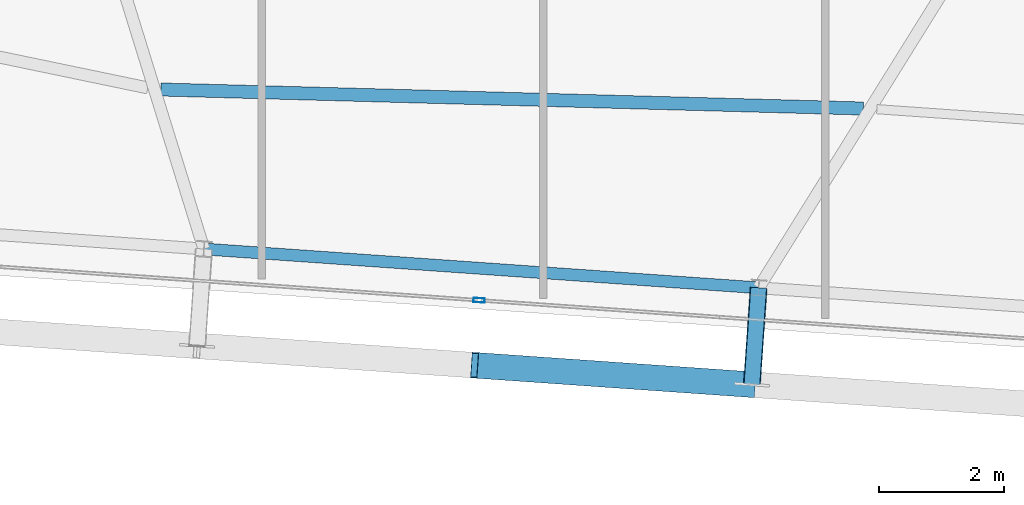
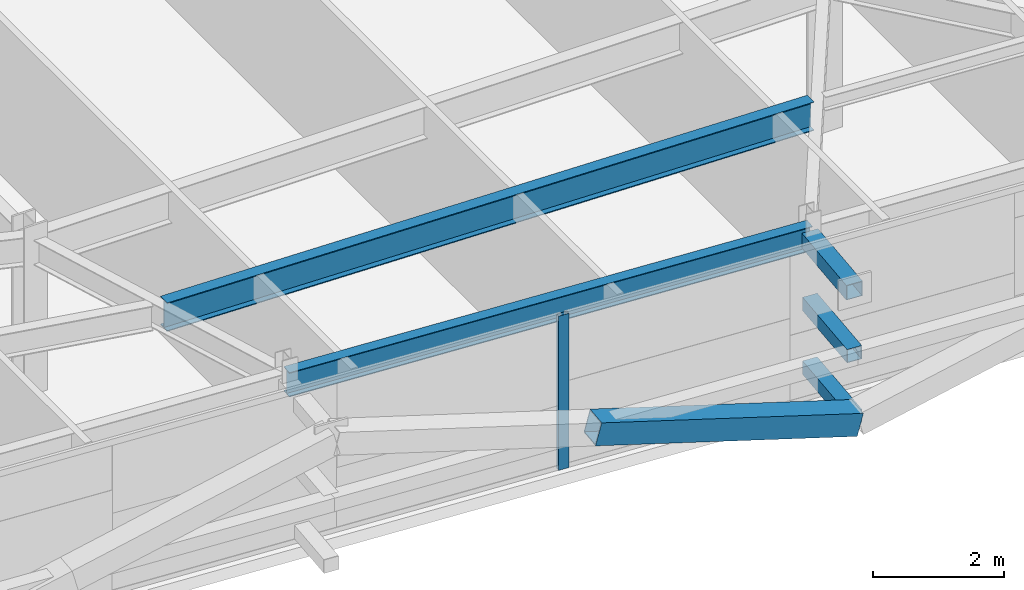
# One storey, part 9 of 39: 5 members, 2 beams, 1 element without a shape of its own.
"""IFC4 building model written with IfcOpenShell, lengths in metres."""

import ifcopenshell
import ifcopenshell.guid

model = None  # the IFC model being written
_history = None  # IfcOwnerHistory: only IFC2X3 demands one
_inside = {}  # id of a spatial element -> (the spatial element, [elements in it])
_under = {}  # id of a project, library or spatial element -> (it, [spatial elements below it])
_declared = {}  # id of a project -> (the project, [libraries it declares])
_typed = {}  # id of a type object -> (the type object, [elements of that type])
_made_of = {}  # id of a material, layer set ... -> (it, [elements and type objects made of it])


def new_model(schema):
    """Start an empty IFC model of exactly this schema.

    Asked for "IFC4X3", IfcOpenShell would pick the latest addendum, in which some entities
    have other attributes; the version numbers below select the first issue.
    IFC2X3 requires an IfcOwnerHistory on every rooted entity: one is made here for all.
    """
    global model, _history
    if schema == "IFC4X3":
        model = ifcopenshell.file(schema_version=(4, 3, 0, 0))
    else:
        model = ifcopenshell.file(schema=schema)
    _inside.clear()
    _under.clear()
    _declared.clear()
    _typed.clear()
    _made_of.clear()
    _history = None
    if model.schema == "IFC2X3":
        org = make("IfcOrganization", Name="unknown")
        user = make(
            "IfcPersonAndOrganization",
            ThePerson=make("IfcPerson", FamilyName="unknown"),
            TheOrganization=org,
        )
        app = make(
            "IfcApplication",
            ApplicationDeveloper=org,
            Version="unknown",
            ApplicationFullName="unknown",
            ApplicationIdentifier="unknown",
        )
        _history = make(
            "IfcOwnerHistory",
            OwningUser=user,
            OwningApplication=app,
            ChangeAction="ADDED",
            CreationDate=0,
        )
    return model


def make(cls, **values):
    """One entity of the class cls with the attributes given. An attribute that is None is left unset."""
    return model.create_entity(
        cls, **{name: value for name, value in values.items() if value is not None}
    )


def rooted(cls, **values):
    """An entity with a GlobalId (a new one), such as an element, a storey or a relation."""
    return make(cls, GlobalId=ifcopenshell.guid.new(), OwnerHistory=_history, **values)


def si_unit(unit_type, name, prefix=None):
    """IfcSIUnit, for example si_unit("LENGTHUNIT", "METRE", prefix="MILLI")."""
    return make("IfcSIUnit", UnitType=unit_type, Prefix=prefix, Name=name)


def assignment(units):
    """IfcUnitAssignment: the units of a project."""
    return None if units is None else make("IfcUnitAssignment", Units=units)


def point(xyz):
    """IfcCartesianPoint."""
    return None if xyz is None else make("IfcCartesianPoint", Coordinates=xyz)


def direction(xyz):
    """IfcDirection."""
    return None if xyz is None else make("IfcDirection", DirectionRatios=xyz)


def frame(location, z_axis=None, x_axis=None):
    """IfcAxis2Placement3D, a coordinate frame: its origin and axes. An axis left out is left unset."""
    return make(
        "IfcAxis2Placement3D",
        Location=point(location),
        Axis=direction(z_axis),
        RefDirection=direction(x_axis),
    )


def frame_2d(location, x_axis=None):
    """IfcAxis2Placement2D, a coordinate frame in the plane: its origin and x axis."""
    return make(
        "IfcAxis2Placement2D", Location=point(location), RefDirection=direction(x_axis)
    )


def origin():
    """The frame at (0, 0, 0) with its axes left unset."""
    return frame((0.0, 0.0, 0.0))


def origin_2d():
    """The frame at (0, 0) in the plane with its x axis left unset."""
    return frame_2d((0.0, 0.0))


def place(relative_to, where):
    """IfcLocalPlacement: puts the frame where relative to a parent placement (None: the world)."""
    return make(
        "IfcLocalPlacement", PlacementRelTo=relative_to, RelativePlacement=where
    )


def context(
    kind, dimensions, precision=None, world=None, true_north=None, identifier=None
):
    """IfcGeometricRepresentationContext, for example the 3D "Model" context."""
    return make(
        "IfcGeometricRepresentationContext",
        ContextIdentifier=identifier,
        ContextType=kind,
        CoordinateSpaceDimension=dimensions,
        Precision=precision,
        WorldCoordinateSystem=world,
        TrueNorth=true_north,
    )


def subcontext(parent, identifier, kind, view, scale=None):
    """IfcGeometricRepresentationSubContext, for example "Body" below "Model"."""
    return make(
        "IfcGeometricRepresentationSubContext",
        ContextIdentifier=identifier,
        ContextType=kind,
        ParentContext=parent,
        TargetScale=scale,
        TargetView=view,
    )


def project(units=None, contexts=None):
    """IfcProject with its units and contexts."""
    return rooted(
        "IfcProject",
        Name="project",
        RepresentationContexts=contexts,
        UnitsInContext=assignment(units),
    )


def spatial(cls, under=None, at=None, **own):
    """A site, building, storey or space (cls), placed at a placement, below another one or the project."""
    s = rooted(cls, ObjectPlacement=at, **own)
    if under is not None:
        _under.setdefault(under.id(), (under, []))[1].append(s)
    return s


def profile(cls, at=None, kind="AREA", **sizes):
    """A parametric profile (cls). Its sizes go by their IFC names, for example OverallWidth=200.0."""
    return make(cls, ProfileType=kind, Position=at, **sizes)


def hollow_rectangle(**sizes):
    """IfcRectangleHollowProfileDef."""
    return profile("IfcRectangleHollowProfileDef", **sizes)


def i_section(**sizes):
    """IfcIShapeProfileDef."""
    return profile("IfcIShapeProfileDef", **sizes)


def extrude(swept, where, along, depth):
    """IfcExtrudedAreaSolid: the profile swept, set in the frame where, extruded along a direction by depth."""
    return make(
        "IfcExtrudedAreaSolid",
        SweptArea=swept,
        Position=where,
        ExtrudedDirection=direction(along),
        Depth=depth,
    )


def shape(context_of_items, identifier, shape_type, items):
    """IfcShapeRepresentation: the items that make up one representation, for example the "Body"."""
    return make(
        "IfcShapeRepresentation",
        ContextOfItems=context_of_items,
        RepresentationIdentifier=identifier,
        RepresentationType=shape_type,
        Items=items,
    )


def source(mapping_origin, context_of_items, identifier, shape_type, items):
    """IfcRepresentationMap: a shape defined once, which mapped items show again and again."""
    return make(
        "IfcRepresentationMap",
        MappingOrigin=mapping_origin,
        MappedRepresentation=shape(context_of_items, identifier, shape_type, items),
    )


def transform(
    local_origin,
    x_axis=None,
    y_axis=None,
    z_axis=None,
    scale=None,
    scale2=None,
    scale3=None,
    uniform=True,
):
    """IfcCartesianTransformationOperator3D, or its non-uniform kind. x_axis, y_axis, z_axis: its Axis1, 2, 3."""
    if uniform:
        return make(
            "IfcCartesianTransformationOperator3D",
            Axis1=direction(x_axis),
            Axis2=direction(y_axis),
            LocalOrigin=point(local_origin),
            Scale=scale,
            Axis3=direction(z_axis),
        )
    return make(
        "IfcCartesianTransformationOperator3DnonUniform",
        Axis1=direction(x_axis),
        Axis2=direction(y_axis),
        LocalOrigin=point(local_origin),
        Scale=scale,
        Axis3=direction(z_axis),
        Scale2=scale2,
        Scale3=scale3,
    )


def mapped(mapping_source, mapping_target):
    """IfcMappedItem: shows the shape of a source again, moved by a transform."""
    return make(
        "IfcMappedItem", MappingSource=mapping_source, MappingTarget=mapping_target
    )


def material(Name=None, Category=None):
    """IfcMaterial."""
    return make("IfcMaterial", Name=Name, Category=Category)


def layer(
    of_material, thickness, ventilated=None, Name=None, Category=None, Priority=None
):
    """IfcMaterialLayer: one layer of a wall or slab, of a material (None: an air gap)."""
    return make(
        "IfcMaterialLayer",
        Material=of_material,
        LayerThickness=thickness,
        IsVentilated=ventilated,
        Name=Name,
        Category=Category,
        Priority=Priority,
    )


def layer_set(layers, Name=None):
    """IfcMaterialLayerSet."""
    return make("IfcMaterialLayerSet", MaterialLayers=layers, LayerSetName=Name)


def material_profile(
    of_material, cross_section, Name=None, Category=None, Priority=None
):
    """IfcMaterialProfile: a cross section and its material."""
    return make(
        "IfcMaterialProfile",
        Name=Name,
        Material=of_material,
        Profile=cross_section,
        Priority=Priority,
        Category=Category,
    )


def profile_set(profiles, Name=None, composite=None):
    """IfcMaterialProfileSet."""
    return make(
        "IfcMaterialProfileSet",
        Name=Name,
        MaterialProfiles=profiles,
        CompositeProfile=composite,
    )


def made_of(thing, what):
    """Note that an element or type object is made of a material, layer set ...; save() writes the relation."""
    if what is not None:
        _made_of.setdefault(what.id(), (what, []))[1].append(thing)
    return thing


def type_object(cls, material=None, **own):
    """A type object (cls), such as IfcWallType, which elements share."""
    return made_of(rooted(cls, **own), material)


def element(
    cls,
    number,
    at=None,
    inside=None,
    cuts=None,
    type_object=None,
    material=None,
    context=None,
    identifier="Body",
    shape_type=None,
    held_by="IfcProductDefinitionShape",
    body=None,
    shapes=None,
    **own,
):
    """One element of the class cls, such as IfcWall. Its Tag is "e" and its number.

    at: its placement. inside: the storey or other place that contains it. cuts: it is an
    opening in that element (IfcRelVoidsElement). A single representation is given by context,
    identifier, shape_type and body (its items); several are given by shapes. held_by: the class
    of the entity that holds the representations. save() writes the other relations.
    """
    e = rooted(cls, Tag="e%d" % number, ObjectPlacement=at, **own)
    if body is not None:
        shapes = [shape(context, identifier, shape_type, body)]
    if shapes is not None:
        e.Representation = make(held_by, Representations=shapes)
    if inside is not None:
        _inside.setdefault(inside.id(), (inside, []))[1].append(e)
    if cuts is not None:
        rooted(
            "IfcRelVoidsElement", RelatingBuildingElement=cuts, RelatedOpeningElement=e
        )
    if type_object is not None:
        _typed.setdefault(type_object.id(), (type_object, []))[1].append(e)
    return made_of(e, material)


def aggregate(whole, parts):
    """IfcRelAggregates: a whole, such as a stair, and the parts it consists of."""
    return rooted("IfcRelAggregates", RelatingObject=whole, RelatedObjects=parts)


def save(model, path):
    """Write the relations noted so far, then the file.

    IfcRelAggregates (storeys below a building ...), IfcRelContainedInSpatialStructure (elements
    in a storey), IfcRelDefinesByType, IfcRelAssociatesMaterial and IfcRelDeclares: one each for
    every whole, place, type object, material and project.
    """
    for whole, parts in _under.values():
        aggregate(whole, parts)
    for where, things in _inside.values():
        rooted(
            "IfcRelContainedInSpatialStructure",
            RelatedElements=things,
            RelatingStructure=where,
        )
    for kind, things in _typed.values():
        rooted("IfcRelDefinesByType", RelatedObjects=things, RelatingType=kind)
    for what, things in _made_of.values():
        rooted("IfcRelAssociatesMaterial", RelatedObjects=things, RelatingMaterial=what)
    for by, libraries in _declared.values():
        rooted("IfcRelDeclares", RelatingContext=by, RelatedDefinitions=libraries)
    model.write(path)


model = new_model("IFC4")

# Units and contexts
model_context = context("Model", 3, precision=1e-05, world=origin(), true_north=direction((0.0, 1.0)))
body_context = subcontext(model_context, "Body", "Model", "MODEL_VIEW")
ifc_project = project(units=[si_unit("LENGTHUNIT", "METRE"), si_unit("AREAUNIT", "SQUARE_METRE"), si_unit("VOLUMEUNIT", "CUBIC_METRE"), si_unit("PLANEANGLEUNIT", "RADIAN"), si_unit("MASSUNIT", "GRAM", prefix="KILO")], contexts=[model_context])

# Site, building, storey
site_placement = place(None, origin())
site = spatial("IfcSite", under=ifc_project, at=site_placement, CompositionType="ELEMENT")
building_placement = place(site_placement, origin())
building = spatial("IfcBuilding", under=site, at=building_placement, Name="Taldren Reach Tower", CompositionType="ELEMENT")
storey_placement = place(building_placement, frame((0.0, 0.0, 161.35009765625)))
storey = spatial("IfcBuildingStorey", under=building, at=storey_placement, Name="L49", CompositionType="ELEMENT", Elevation=161.35009765625)

# Members
ifc_material_1 = material(Name="Steel Gr 450 (C450L0)", Category="steel")
ifc_material_profile_1 = material_profile(ifc_material_1, hollow_rectangle(XDim=0.27490234375, YDim=0.27490234375, WallThickness=0.00927734375, at=origin_2d()), Name="275x275x9.3SHS")
ifc_profile_set_1 = profile_set([ifc_material_profile_1], Name="Steel Gr 450 (C450L0)")
member_type_1 = type_object("IfcMemberType", Name="MB-TIE273", PredefinedType="STRUT", material=ifc_profile_set_1)
shared_shape_1 = source(origin(), body_context, "Body", "SweptSolid", [
    extrude(hollow_rectangle(XDim=0.27490234375, YDim=0.27490234375, WallThickness=0.00927734375, at=origin_2d()), origin(), (0.0, 0.0, 1.0), 1.550048828125),
])
member_1_placement = place(storey_placement, frame((38.438720703125, 3.480224609375, 2.58984375), z_axis=(-0.06976957191, -0.99756313426, 0.0), x_axis=(0.99756313426, -0.06976957191, 0.0)))
element("IfcMember", 1, at=member_1_placement, inside=storey, type_object=member_type_1, Name="Exoskeleton diaphragm tie strut B3-S4 L49", PredefinedType="STRUT", context=body_context, shape_type="MappedRepresentation", body=[
    mapped(shared_shape_1, transform((0.0, 0.0, 0.0), scale=1.0)),
])
ifc_material_2 = material(Name="Steel Gr 350 (C350L0)", Category="steel")
ifc_material_profile_2 = material_profile(ifc_material_2, hollow_rectangle(XDim=0.25, YDim=0.25, WallThickness=0.010009765625, at=origin_2d()), Name="250x250x10.0SHS")
ifc_profile_set_2 = profile_set([ifc_material_profile_2], Name="Steel Gr 350 (C350L0)")
member_type_2 = type_object("IfcMemberType", Name="MB-POST250", PredefinedType="POST", material=ifc_profile_set_2)
shared_shape_2 = source(origin(), body_context, "Body", "SweptSolid", [
    extrude(hollow_rectangle(XDim=0.25, YDim=0.25, WallThickness=0.010009765625, at=origin_2d()), origin(), (0.0, 0.0, 1.0), 1.550048828125),
])
for number, where, z_axis, x_axis, name in (
    (2, (38.438720703125, 3.480224609375, 0.219970703125), (-0.06976957191, -0.99756313426, 0.0), (0.99756313426, -0.06976957191, 0.0), "Exoskeleton base diaphragm tie strut B3-S4 L49"),
    (3, (38.438720703125, 3.480224609375, 1.40478515625), (-0.06976957191, -0.99756313426, 0.0), (0.99756313426, -0.06976957191, 0.0), "Exoskeleton mid-tier diaphragm tie B3-S4 L49"),
):
    element("IfcMember", number, at=place(storey_placement, frame(where, z_axis=z_axis, x_axis=x_axis)), inside=storey, type_object=member_type_2, Name=name, PredefinedType="POST", context=body_context, shape_type="MappedRepresentation", body=[
        mapped(shared_shape_2, transform((0.0, 0.0, 0.0), scale=1.0)),
    ])

# Beams
ifc_material_3 = material(Name="Steel Gr 350 (350PLUS)", Category="steel")
ifc_material_profile_3 = material_profile(ifc_material_3, i_section(OverallWidth=0.18994140625, OverallDepth=0.4541015625, WebThickness=0.008544921875, FlangeThickness=0.0126953125, at=origin_2d()), Name="460UB67.1")
ifc_profile_set_3 = profile_set([ifc_material_profile_3], Name="Steel Gr 350 (350PLUS)")
beam_type_1 = type_object("IfcBeamType", Name="SP-UB460B", PredefinedType="SPANDREL", material=ifc_profile_set_3)
shared_shape_3 = source(origin(), body_context, "Body", "SweptSolid", [
    extrude(i_section(OverallWidth=0.18994140625, OverallDepth=0.4541015625, WebThickness=0.008544921875, FlangeThickness=0.0126953125, at=origin_2d()), origin(), (0.0, 0.0, 1.0), 8.880126953125),
])
beam_1_placement = place(storey_placement, frame((29.580322265625, 4.099609375, 2.642822265625), z_axis=(0.997564479639, -0.069750333063, 0.0), x_axis=(0.069750333063, 0.997564479639, 0.0)))
element("IfcBeam", 4, at=beam_1_placement, inside=storey, type_object=beam_type_1, Name="Perimeter spandrel B3 S3-S4 L49", PredefinedType="SPANDREL", context=body_context, shape_type="MappedRepresentation", body=[
    mapped(shared_shape_3, transform((0.0, 0.0, 0.0), scale=1.0)),
])
ifc_material_profile_4 = material_profile(ifc_material_3, i_section(OverallWidth=0.208984375, OverallDepth=0.532958984375, WebThickness=0.01025390625, FlangeThickness=0.015625, at=origin_2d()), Name="530UB92.4")
ifc_profile_set_4 = profile_set([ifc_material_profile_4], Name="Steel Gr 350 (350PLUS)")
beam_type_2 = type_object("IfcBeamType", Name="BM-UB530A", PredefinedType="BEAM", material=ifc_profile_set_4)
shared_shape_4 = source(origin(), body_context, "Body", "SweptSolid", [
    extrude(i_section(OverallWidth=0.208984375, OverallDepth=0.532958984375, WebThickness=0.01025390625, FlangeThickness=0.015625, at=origin_2d()), origin(), (0.0, 0.0, 1.0), 11.221923828125),
])
beam_2_placement = place(storey_placement, frame((28.890869140625, 6.64697265625, 2.603515625), z_axis=(0.999633109536, -0.027085906272, 0.0), x_axis=(0.027085906272, 0.999633109536, 0.0)))
element("IfcBeam", 5, at=beam_2_placement, inside=storey, type_object=beam_type_2, Name="Secondary floor beam B3 J3 L49", PredefinedType="BEAM", context=body_context, shape_type="MappedRepresentation", body=[
    mapped(shared_shape_4, transform((0.0, 0.0, 0.0), scale=1.0)),
])

# Member
ifc_material_profile_5 = material_profile(ifc_material_1, hollow_rectangle(XDim=0.409912109375, YDim=0.409912109375, WallThickness=0.01611328125, at=origin_2d()), Name="410x410x16.0SHS")
ifc_profile_set_5 = profile_set([ifc_material_profile_5], Name="Steel Gr 450 (C450L0)")
member_type_3 = type_object("IfcMemberType", Name="MB-EXO406", PredefinedType="BRACE", material=ifc_profile_set_5)
shared_shape_5 = source(origin(), body_context, "Body", "SweptSolid", [
    extrude(hollow_rectangle(XDim=0.409912109375, YDim=0.409912109375, WallThickness=0.01611328125, at=origin_2d()), origin(), (0.0, 0.0, 1.0), 4.595458984375),
])
member_2_placement = place(storey_placement, frame((38.33056640625, 1.933837890625, 0.219970703125), z_axis=(-0.963836084766, 0.06741858624, 0.257826949585), x_axis=(-0.06977769246, -0.997562566276, 0.0)))
element("IfcMember", 6, at=member_2_placement, inside=storey, type_object=member_type_3, Name="Exoskeleton Diagrid Brace B3-S3 L49", PredefinedType="BRACE", context=body_context, shape_type="MappedRepresentation", body=[
    mapped(shared_shape_5, transform((0.0, 0.0, 0.0), scale=1.0)),
])

# Curtain wall, member
ifc_material_4 = material(Name="Aluminium and Low-E Glass Unitised System", Category="aluminium")
ifc_layer = layer(ifc_material_4, 0.159912109375)
ifc_layer_set = layer_set([ifc_layer], Name="Aluminium and Low-E Glass Unitised System")
curtain_wall_type = type_object("IfcCurtainWallType", Name="CW-SYS-4", PredefinedType="NOTDEFINED", material=ifc_layer_set)
curtain_wall_placement = place(storey_placement, origin())
curtain_wall = element("IfcCurtainWall", 7, at=curtain_wall_placement, inside=storey, type_object=curtain_wall_type, Name="Unitised curtain wall CW-L49-S", PredefinedType="NOTDEFINED")
ifc_material_5 = material(Name="Anodised Aluminium 6063-T6", Category="aluminium")
ifc_material_profile_6 = material_profile(ifc_material_5, hollow_rectangle(XDim=0.070068359375, YDim=0.179931640625, WallThickness=0.00390625, at=origin_2d()), Name="ALU-180x70x4RHS")
ifc_profile_set_6 = profile_set([ifc_material_profile_6], Name="Anodised Aluminium 6063-T6")
member_type_4 = type_object("IfcMemberType", Name="CW-MUL-180", PredefinedType="MULLION", material=ifc_profile_set_6)
shared_shape_6 = source(origin(), body_context, "Body", "SweptSolid", [
    extrude(hollow_rectangle(XDim=0.070068359375, YDim=0.179931640625, WallThickness=0.00390625, at=origin_2d()), origin(), (0.0, 0.0, 1.0), 2.869873046875),
])
member_3_placement = place(storey_placement, frame((33.973876953125, 3.281005859375, 0.0), z_axis=(0.0, 0.0, 1.0), x_axis=(0.06975651593, 0.99756404731, 0.0)))
member_3 = element("IfcMember", 8, at=member_3_placement, type_object=member_type_4, Name="CW-4 mullion 3", PredefinedType="MULLION", context=body_context, shape_type="MappedRepresentation", body=[
    mapped(shared_shape_6, transform((0.0, 0.0, 0.0), scale=1.0)),
])
aggregate(curtain_wall, [member_3])

save(model, "model.ifc")
